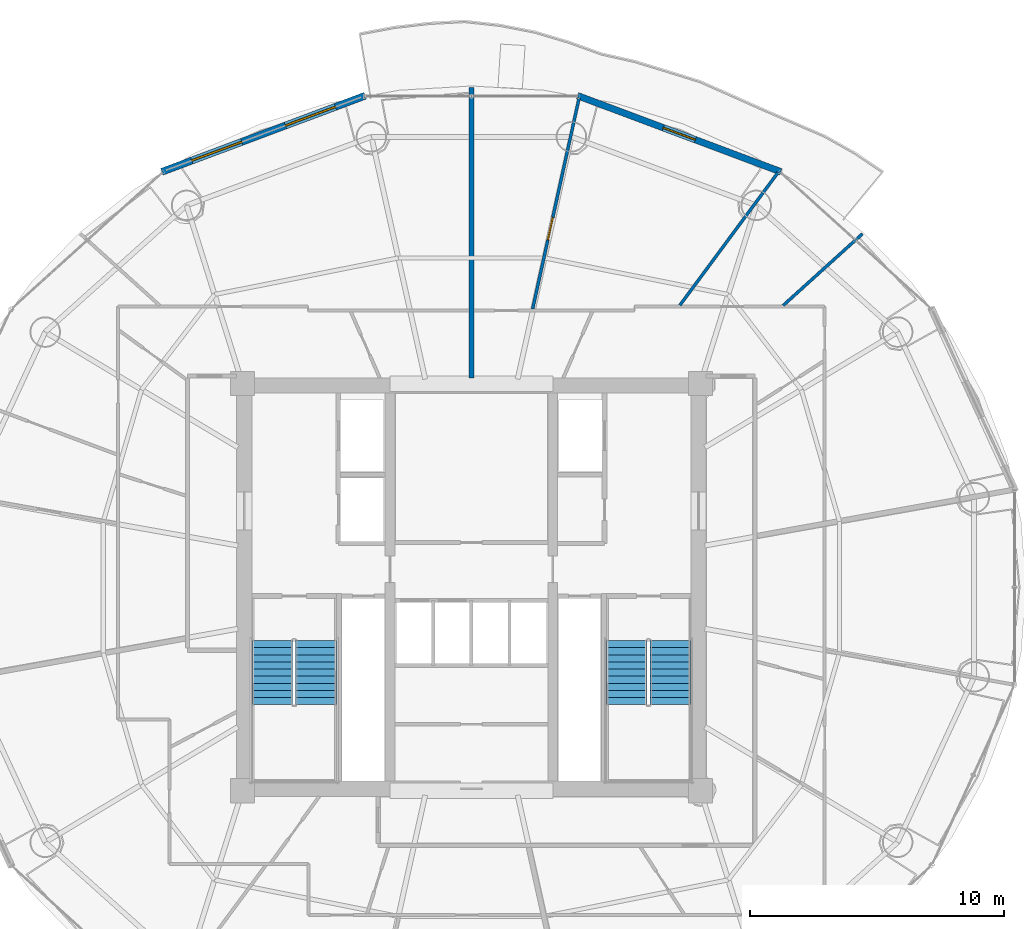
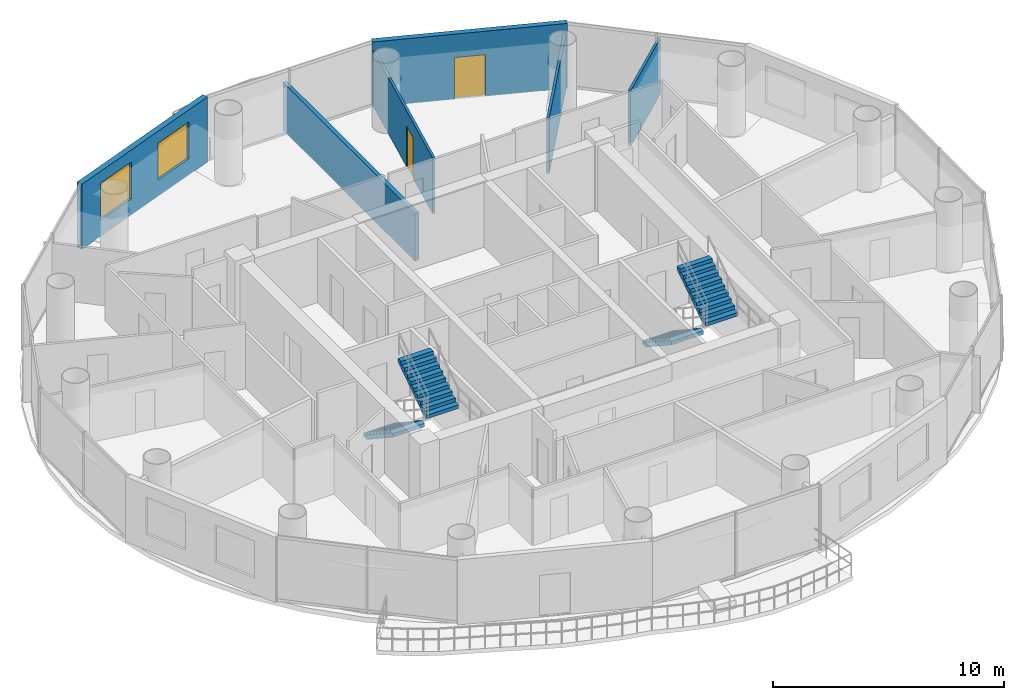
# One storey, part 23 of 27: 6 walls, 4 stair flights, 2 doors, 2 windows, 4 openings, 2 elements without a shape of their own.
"""IFC4 building model written with IfcOpenShell, lengths in metres."""

from ifc_helpers import new_model, si_unit, direction, frame, frame_2d, origin, place, context, subcontext, project, spatial, polyline, rectangle, outline, extrude, source, transform, mapped, material, layer, layer_set, type_object, element, fill, aggregate, save


model = new_model("IFC4")

# Units and contexts
model_context = context("Model", 3, precision=1e-05, world=origin(), true_north=direction((-0.2419218956, 0.970295726276)))
body_context = subcontext(model_context, "Body", "Model", "MODEL_VIEW")
ifc_project = project(units=[si_unit("LENGTHUNIT", "METRE"), si_unit("AREAUNIT", "SQUARE_METRE"), si_unit("VOLUMEUNIT", "CUBIC_METRE"), si_unit("PLANEANGLEUNIT", "RADIAN"), si_unit("MASSUNIT", "GRAM", prefix="KILO")], contexts=[model_context])

# Site, building, storey
site_placement = place(None, origin())
site = spatial("IfcSite", under=ifc_project, at=site_placement, CompositionType="ELEMENT")
building_placement = place(site_placement, origin())
building = spatial("IfcBuilding", under=site, at=building_placement, Name="Cobrevalo Terracotta Tower", CompositionType="ELEMENT")
storey_placement = place(building_placement, frame((0.0, 0.0, 198.60009765625)))
storey = spatial("IfcBuildingStorey", under=building, at=storey_placement, Name="L52", CompositionType="ELEMENT", Elevation=198.60009765625)

# Wall
ifc_material_1 = material(Name="Autoclaved aerated concrete block", Category="concrete")
ifc_layer_1 = layer(ifc_material_1, 0.199951171875)
ifc_layer_set_1 = layer_set([ifc_layer_1], Name="Autoclaved aerated concrete block")
wall_type_1 = type_object("IfcWallType", Name="Fire-rated stair, shaft & demising masonry wall 200 mm", PredefinedType="PARTITIONING", material=ifc_layer_set_1)
wall_1_placement = place(storey_placement, frame((38.0, 35.027099609375, 0.0), z_axis=(0.0, 0.0, 1.0), x_axis=(0.0, 1.0, 0.0)))
element("IfcWall", 1, at=wall_1_placement, inside=storey, type_object=wall_type_1, Name="L52 interior partition IW-L52-DEM-2", PredefinedType="PARTITIONING", context=body_context, shape_type="SweptSolid", body=[
    extrude(rectangle(XDim=11.412841796875, YDim=0.199951171875, at=frame_2d((5.70654296875, 0.0))), origin(), (0.0, 0.0, 1.0), 2.52001953125),
])

# Wall, openings, windows
ifc_layer_2 = layer(ifc_material_1, 0.280029296875)
ifc_layer_set_2 = layer_set([ifc_layer_2], Name="Autoclaved aerated concrete block")
wall_type_2 = type_object("IfcWallType", Name="Insulated tower spandrel & pier wall 280 mm with terracotta rainscreen", PredefinedType="SOLIDWALL", material=ifc_layer_set_2)
wall_2_placement = place(storey_placement, frame((33.827880859375, 46.1201171875, 0.0), z_axis=(0.0, 0.0, 1.0), x_axis=(-0.936556918375, -0.350515532672, 0.0)))
wall_2 = element("IfcWall", 2, at=wall_2_placement, inside=storey, type_object=wall_type_2, Name="L52 terracotta rainscreen pier wall S05", PredefinedType="SOLIDWALL", context=body_context, shape_type="SweptSolid", body=[
    extrude(rectangle(XDim=8.539306640625, YDim=0.280029296875, at=frame_2d((4.26953125, 0.0))), origin(), (0.0, 0.0, 1.0), 3.434814453125),
])
opening_1_placement = place(wall_2_placement, frame((1.255615234375, 0.0, 0.85009765625)))
opening_1 = element("IfcOpeningElement", 3, at=opening_1_placement, cuts=wall_2, Name="Opening WN-10", PredefinedType="OPENING", context=body_context, shape_type="SweptSolid", body=[
    extrude(rectangle(XDim=2.10009765625, YDim=1.949951171875, at=frame_2d((1.050048828125, 0.97509765625))), frame((0.0, 0.14990234375, 0.0), z_axis=(0.0, -1.0, 0.0), x_axis=(1.0, 0.0, 0.0)), (0.0, 0.0, 1.0), 0.300048828125),
])
opening_2_placement = place(wall_2_placement, frame((5.18359375, 0.0, 0.85009765625)))
opening_2 = element("IfcOpeningElement", 4, at=opening_2_placement, cuts=wall_2, Name="Opening WN-10", PredefinedType="OPENING", context=body_context, shape_type="SweptSolid", body=[
    extrude(rectangle(XDim=2.10009765625, YDim=1.949951171875, at=frame_2d((1.050048828125, 0.97509765625))), frame((0.0, 0.14990234375, 0.0), z_axis=(0.0, -1.0, 0.0), x_axis=(1.0, 0.0, 0.0)), (0.0, 0.0, 1.0), 0.300048828125),
])
ifc_material_2 = material(Name="Solar-control low-E double glazing", Category="glass")
window_type = type_object("IfcWindowType", Name="Wide panoramic low-E aluminium window 2100x1950", PartitioningType="SINGLE_PANEL", PredefinedType="WINDOW", material=ifc_material_2)
shared_shape_1 = source(origin(), body_context, "Body", "SweptSolid", [
    extrude(rectangle(XDim=2.10009765625, YDim=1.949951171875, at=frame_2d((1.050048828125, 0.97509765625))), frame((0.0, 0.030029296875, 0.0), z_axis=(0.0, -1.0, 0.0), x_axis=(1.0, 0.0, 0.0)), (0.0, 0.0, 1.0), 0.06005859375),
])
window_1_placement = place(opening_1_placement, origin())
window_1 = element("IfcWindow", 5, at=window_1_placement, inside=storey, type_object=window_type, Name="L52 suite window S05A", OverallHeight=1.949951171875, OverallWidth=2.10009765625, PartitioningType="SINGLE_PANEL", PredefinedType="WINDOW", context=body_context, shape_type="MappedRepresentation", body=[
    mapped(shared_shape_1, transform((0.0, 0.0, 0.0), scale=1.0)),
])
fill(opening_1, window_1)
window_2_placement = place(opening_2_placement, origin())
window_2 = element("IfcWindow", 6, at=window_2_placement, inside=storey, type_object=window_type, Name="L52 suite window S05B", OverallHeight=1.949951171875, OverallWidth=2.10009765625, PartitioningType="SINGLE_PANEL", PredefinedType="WINDOW", context=body_context, shape_type="MappedRepresentation", body=[
    mapped(shared_shape_1, transform((0.0, 0.0, 0.0), scale=1.0)),
])
fill(opening_2, window_2)

# Wall, opening, door
ifc_layer_3 = layer(ifc_material_1, 0.260009765625)
ifc_layer_set_3 = layer_set([ifc_layer_3], Name="Autoclaved aerated concrete block")
wall_type_3 = type_object("IfcWallType", Name="Recessed balcony loggia insulated exterior wall 260 mm", PredefinedType="SOLIDWALL", material=ifc_layer_set_3)
wall_3_placement = place(storey_placement, frame((50.169677734375, 43.126953125, 0.0), z_axis=(0.0, 0.0, 1.0), x_axis=(-0.936556918375, 0.350515532672, 0.0)))
wall_3 = element("IfcWall", 7, at=wall_3_placement, inside=storey, type_object=wall_type_3, Name="L52 balcony loggia wall S03", PredefinedType="SOLIDWALL", context=body_context, shape_type="SweptSolid", body=[
    extrude(rectangle(XDim=8.539306640625, YDim=0.260009765625, at=frame_2d((4.26953125, 0.0))), origin(), (0.0, 0.0, 1.0), 3.434814453125),
])
opening_3_placement = place(wall_3_placement, frame((3.594482421875, 0.0, 0.0)))
opening_3 = element("IfcOpeningElement", 8, at=opening_3_placement, cuts=wall_3, Name="Opening ED-05", PredefinedType="OPENING", context=body_context, shape_type="SweptSolid", body=[
    extrude(rectangle(XDim=1.35009765625, YDim=2.199951171875, at=frame_2d((0.675048828125, 1.10009765625))), frame((0.0, 0.14013671875, 0.0), z_axis=(0.0, -1.0, 0.0), x_axis=(1.0, 0.0, 0.0)), (0.0, 0.0, 1.0), 0.280029296875),
])
ifc_material_3 = material(Name="Anodized aluminium and laminated glass", Category="aluminium")
door_type_1 = type_object("IfcDoorType", Name="Suite balcony acoustic glazed terrace door 1350x2200", OperationType="NOTDEFINED", PredefinedType="DOOR", material=ifc_material_3)
shared_shape_2 = source(origin(), body_context, "Body", "SweptSolid", [
    extrude(rectangle(XDim=1.35009765625, YDim=2.199951171875, at=frame_2d((0.675048828125, 1.10009765625))), frame((0.0, 0.02490234375, 0.0), z_axis=(0.0, -1.0, 0.0), x_axis=(1.0, 0.0, 0.0)), (0.0, 0.0, 1.0), 0.050048828125),
])
door_1_placement = place(opening_3_placement, frame((1.35009765625, 0.0, 0.0), z_axis=(0.0, 0.0, 1.0), x_axis=(-1.0, 0.0, 0.0)))
door_1 = element("IfcDoor", 9, at=door_1_placement, inside=storey, type_object=door_type_1, Name="L52 glazed balcony terrace door 1", OperationType="SINGLE_SWING_LEFT", OverallHeight=2.199951171875, OverallWidth=1.35009765625, PredefinedType="DOOR", context=body_context, shape_type="MappedRepresentation", body=[
    mapped(shared_shape_2, transform((0.0, 0.0, 0.0), scale=1.0)),
])
fill(opening_3, door_1)

# Walls
ifc_material_4 = material(Name="Gypsum board on steel stud", Category="steel")
ifc_layer_4 = layer(ifc_material_4, 0.1201171875)
ifc_layer_set_4 = layer_set([ifc_layer_4], Name="Gypsum board on steel stud")
wall_type_4 = type_object("IfcWallType", Name="Residential internal acoustic stud partition 120 mm", PredefinedType="PARTITIONING", material=ifc_layer_set_4)
wall_4_placement = place(storey_placement, frame((50.25732421875, 37.87646484375, 0.0), z_axis=(0.0, 0.0, 1.0), x_axis=(0.741943837234, 0.670462036502, 0.0)))
element("IfcWall", 10, at=wall_4_placement, inside=storey, type_object=wall_type_4, Name="L52 interior partition IW-L52-U1-ORAD1", PredefinedType="PARTITIONING", context=body_context, shape_type="SweptSolid", body=[
    extrude(rectangle(XDim=4.194091796875, YDim=0.1201171875, at=frame_2d((2.09716796875, 0.0))), origin(), (0.0, 0.0, 1.0), 2.950927734375),
])
wall_5_placement = place(storey_placement, frame((46.1962890625, 37.884765625, 0.0), z_axis=(0.0, 0.0, 1.0), x_axis=(0.594507557292, 0.804090022524, 0.0)))
element("IfcWall", 11, at=wall_5_placement, inside=storey, type_object=wall_type_4, Name="L52 interior partition IW-L52-U1-ORAD2", PredefinedType="PARTITIONING", context=body_context, shape_type="SweptSolid", body=[
    extrude(rectangle(XDim=6.4814453125, YDim=0.1201171875, at=frame_2d((3.24072265625, 0.0))), origin(), (0.0, 0.0, 1.0), 2.950927734375),
])

# Wall, opening, door
wall_6_placement = place(storey_placement, frame((40.406982421875, 37.735595703125, 0.0), z_axis=(0.0, 0.0, 1.0), x_axis=(0.214971015179, 0.97662042915, 0.0)))
wall_6 = element("IfcWall", 12, at=wall_6_placement, inside=storey, type_object=wall_type_4, Name="L52 interior partition IW-L52-U1-ORAD3M1", PredefinedType="PARTITIONING", context=body_context, shape_type="SweptSolid", body=[
    extrude(rectangle(XDim=8.48486328125, YDim=0.1201171875, at=frame_2d((4.242431640625, 0.0))), origin(), (0.0, 0.0, 1.0), 2.950927734375),
])
opening_4_placement = place(wall_6_placement, frame((2.7802734375, 0.0, 0.0)))
opening_4 = element("IfcOpeningElement", 13, at=opening_4_placement, cuts=wall_6, Name="Opening ID-12", PredefinedType="OPENING", context=body_context, shape_type="SweptSolid", body=[
    extrude(rectangle(XDim=0.89990234375, YDim=2.14990234375, at=frame_2d((0.449951171875, 1.074951171875))), frame((0.0, 0.070068359375, 0.0), z_axis=(0.0, -1.0, 0.0), x_axis=(1.0, 0.0, 0.0)), (0.0, 0.0, 1.0), 0.14013671875),
])
ifc_material_5 = material(Name="Engineered timber", Category="wood")
door_type_2 = type_object("IfcDoorType", Name="Internal residence & suite timber door 900x2150", OperationType="NOTDEFINED", PredefinedType="DOOR", material=ifc_material_5)
shared_shape_3 = source(origin(), body_context, "Body", "SweptSolid", [
    extrude(rectangle(XDim=0.89990234375, YDim=2.14990234375, at=frame_2d((0.449951171875, 1.074951171875))), frame((0.0, 0.02490234375, 0.0), z_axis=(0.0, -1.0, 0.0), x_axis=(1.0, 0.0, 0.0)), (0.0, 0.0, 1.0), 0.050048828125),
])
door_2_placement = place(opening_4_placement, frame((0.89990234375, 0.0, 0.0), z_axis=(0.0, 0.0, 1.0), x_axis=(-1.0, 0.0, 0.0)))
door_2 = element("IfcDoor", 14, at=door_2_placement, inside=storey, type_object=door_type_2, Name="Flat L52A Principal Guest Bedroom internal door", OperationType="SINGLE_SWING_LEFT", OverallHeight=2.14990234375, OverallWidth=0.89990234375, PredefinedType="DOOR", context=body_context, shape_type="MappedRepresentation", body=[
    mapped(shared_shape_3, transform((0.0, 0.0, 0.0), scale=1.0)),
])
fill(opening_4, door_2)

# Stair, stair flights
ifc_material_6 = material(Name="Concrete C50", Category="concrete")
stair_type = type_object("IfcStairType", Name="Core protected escape dogleg stair 1600", PredefinedType="HALF_TURN_STAIR", material=ifc_material_6)
stair_1_placement = place(storey_placement, origin())
stair_1 = element("IfcStair", 15, at=stair_1_placement, inside=storey, type_object=stair_type, Name="L52 Protected exit stair ST-1", PredefinedType="HALF_TURN_STAIR")
stair_flight_type = type_object("IfcStairFlightType", Name="Core protected escape dogleg stair 1600 flight", PredefinedType="STRAIGHT", material=ifc_material_6)
stair_flight_1_placement = place(storey_placement, frame((30.175048828125, 24.699951171875, 0.0), z_axis=(0.0, 0.0, 1.0), x_axis=(0.0, -1.0, 0.0)))
stair_flight_1 = element("IfcStairFlight", 16, at=stair_flight_1_placement, type_object=stair_flight_type, Name="ST-1 flight 1", NumberOfRisers=10, NumberOfTreads=9, PredefinedType="STRAIGHT", RiserHeight=0.185, TreadLength=0.28, context=body_context, shape_type="SweptSolid", body=[
    extrude(outline(polyline([(0.0, 0.0), (0.0, 0.18505859375), (0.280029296875, 0.18505859375), (0.280029296875, 0.3701171875), (0.56005859375, 0.3701171875), (0.56005859375, 0.554931640625), (0.840087890625, 0.554931640625), (0.840087890625, 0.739990234375), (1.1201171875, 0.739990234375), (1.1201171875, 0.925048828125), (1.39990234375, 0.925048828125), (1.39990234375, 1.110107421875), (1.679931640625, 1.110107421875), (1.679931640625, 1.294921875), (1.9599609375, 1.294921875), (1.9599609375, 1.47998046875), (2.239990234375, 1.47998046875), (2.239990234375, 1.6650390625), (2.52001953125, 1.6650390625), (2.52001953125, 1.85009765625), (2.52001953125, 1.473388671875), (0.2900390625, 0.0), (0.0, 0.0)])), frame((0.0, 0.800048828125, 0.0), z_axis=(0.0, -1.0, 0.0), x_axis=(1.0, 0.0, 0.0)), (0.0, 0.0, 1.0), 1.60009765625),
])
stair_flight_2_placement = place(storey_placement, frame((31.89501953125, 22.179931640625, 1.849853515625), z_axis=(0.0, 0.0, 1.0), x_axis=(0.0, 1.0, 0.0)))
stair_flight_2 = element("IfcStairFlight", 17, at=stair_flight_2_placement, type_object=stair_flight_type, Name="ST-1 flight 2", NumberOfRisers=10, NumberOfTreads=9, PredefinedType="STRAIGHT", RiserHeight=0.185, TreadLength=0.28, context=body_context, shape_type="SweptSolid", body=[
    extrude(outline(polyline([(0.0, 0.0), (0.0, 0.18505859375), (0.280029296875, 0.18505859375), (0.280029296875, 0.3701171875), (0.56005859375, 0.3701171875), (0.56005859375, 0.554931640625), (0.840087890625, 0.554931640625), (0.840087890625, 0.739990234375), (1.1201171875, 0.739990234375), (1.1201171875, 0.925048828125), (1.39990234375, 0.925048828125), (1.39990234375, 1.110107421875), (1.679931640625, 1.110107421875), (1.679931640625, 1.294921875), (1.9599609375, 1.294921875), (1.9599609375, 1.47998046875), (2.239990234375, 1.47998046875), (2.239990234375, 1.6650390625), (2.52001953125, 1.6650390625), (2.52001953125, 1.85009765625), (2.52001953125, 1.473388671875), (0.2900390625, 0.0), (0.0, 0.0)])), frame((0.0, 0.800048828125, 0.0), z_axis=(0.0, -1.0, 0.0), x_axis=(1.0, 0.0, 0.0)), (0.0, 0.0, 1.0), 1.60009765625),
])
aggregate(stair_1, [stair_flight_1, stair_flight_2])

stair_2_placement = place(storey_placement, origin())
stair_2 = element("IfcStair", 18, at=stair_2_placement, inside=storey, type_object=stair_type, Name="L52 Protected exit stair ST-2", PredefinedType="HALF_TURN_STAIR")
stair_flight_3_placement = place(storey_placement, frame((44.10498046875, 24.699951171875, 0.0), z_axis=(0.0, 0.0, 1.0), x_axis=(0.0, -1.0, 0.0)))
stair_flight_3 = element("IfcStairFlight", 19, at=stair_flight_3_placement, type_object=stair_flight_type, Name="ST-2 flight 1", NumberOfRisers=10, NumberOfTreads=9, PredefinedType="STRAIGHT", RiserHeight=0.185, TreadLength=0.28, context=body_context, shape_type="SweptSolid", body=[
    extrude(outline(polyline([(0.0, 0.0), (0.0, 0.18505859375), (0.280029296875, 0.18505859375), (0.280029296875, 0.3701171875), (0.56005859375, 0.3701171875), (0.56005859375, 0.554931640625), (0.840087890625, 0.554931640625), (0.840087890625, 0.739990234375), (1.1201171875, 0.739990234375), (1.1201171875, 0.925048828125), (1.39990234375, 0.925048828125), (1.39990234375, 1.110107421875), (1.679931640625, 1.110107421875), (1.679931640625, 1.294921875), (1.9599609375, 1.294921875), (1.9599609375, 1.47998046875), (2.239990234375, 1.47998046875), (2.239990234375, 1.6650390625), (2.52001953125, 1.6650390625), (2.52001953125, 1.85009765625), (2.52001953125, 1.473388671875), (0.2900390625, 0.0), (0.0, 0.0)])), frame((0.0, 0.800048828125, 0.0), z_axis=(0.0, -1.0, 0.0), x_axis=(1.0, 0.0, 0.0)), (0.0, 0.0, 1.0), 1.60009765625),
])
stair_flight_4_placement = place(storey_placement, frame((45.824951171875, 22.179931640625, 1.849853515625), z_axis=(0.0, 0.0, 1.0), x_axis=(0.0, 1.0, 0.0)))
stair_flight_4 = element("IfcStairFlight", 20, at=stair_flight_4_placement, type_object=stair_flight_type, Name="ST-2 flight 2", NumberOfRisers=10, NumberOfTreads=9, PredefinedType="STRAIGHT", RiserHeight=0.185, TreadLength=0.28, context=body_context, shape_type="SweptSolid", body=[
    extrude(outline(polyline([(0.0, 0.0), (0.0, 0.18505859375), (0.280029296875, 0.18505859375), (0.280029296875, 0.3701171875), (0.56005859375, 0.3701171875), (0.56005859375, 0.554931640625), (0.840087890625, 0.554931640625), (0.840087890625, 0.739990234375), (1.1201171875, 0.739990234375), (1.1201171875, 0.925048828125), (1.39990234375, 0.925048828125), (1.39990234375, 1.110107421875), (1.679931640625, 1.110107421875), (1.679931640625, 1.294921875), (1.9599609375, 1.294921875), (1.9599609375, 1.47998046875), (2.239990234375, 1.47998046875), (2.239990234375, 1.6650390625), (2.52001953125, 1.6650390625), (2.52001953125, 1.85009765625), (2.52001953125, 1.473388671875), (0.2900390625, 0.0), (0.0, 0.0)])), frame((0.0, 0.800048828125, 0.0), z_axis=(0.0, -1.0, 0.0), x_axis=(1.0, 0.0, 0.0)), (0.0, 0.0, 1.0), 1.60009765625),
])
aggregate(stair_2, [stair_flight_3, stair_flight_4])

save(model, "model.ifc")
